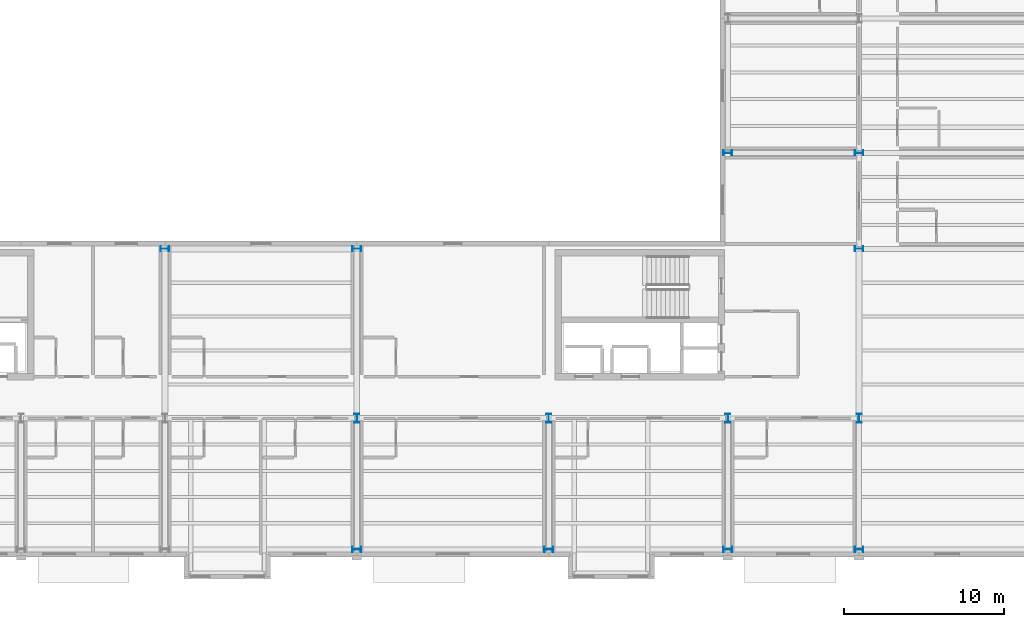
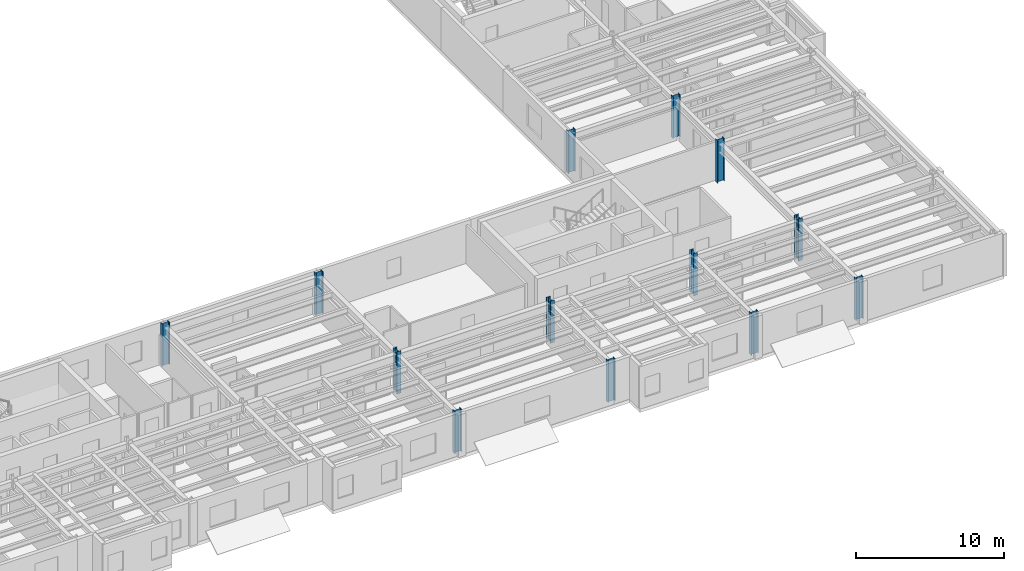
# One storey, part 2 of 19: 13 columns.
"""IFC4 building model written with IfcOpenShell, lengths in metres."""

from ifc_helpers import new_model, si_unit, direction, frame, origin, origin_2d, place, context, subcontext, project, spatial, i_section, extrude, material, material_profile, profile_set, type_object, element, save


model = new_model("IFC4")

# Units and contexts
model_context = context("Model", 3, precision=1e-05, world=origin(), true_north=direction((0.0, 1.0)))
body_context = subcontext(model_context, "Body", "Model", "MODEL_VIEW")
ifc_project = project(units=[si_unit("LENGTHUNIT", "METRE"), si_unit("AREAUNIT", "SQUARE_METRE"), si_unit("VOLUMEUNIT", "CUBIC_METRE"), si_unit("PLANEANGLEUNIT", "RADIAN"), si_unit("MASSUNIT", "GRAM", prefix="KILO")], contexts=[model_context])

# Site, building, storey
site_placement = place(None, origin())
site = spatial("IfcSite", under=ifc_project, at=site_placement, CompositionType="ELEMENT")
building_placement = place(site_placement, origin())
building = spatial("IfcBuilding", under=site, at=building_placement, Name="Sollismere Congress Hotel", CompositionType="ELEMENT")
storey_placement = place(building_placement, frame((0.0, 0.0, 34.10009765625)))
storey = spatial("IfcBuildingStorey", under=building, at=storey_placement, Name="L08", CompositionType="ELEMENT", Elevation=34.10009765625)

# Columns
ifc_material = material(Name="Steel ASTM A992 Grade 50", Category="steel")
ifc_material_profile = material_profile(ifc_material, i_section(OverallWidth=0.31494140625, OverallDepth=0.551025390625, WebThickness=0.01513671875, FlangeThickness=0.0244140625, at=origin_2d()), Name="W21X122")
ifc_profile_set = profile_set([ifc_material_profile], Name="Steel ASTM A992 Grade 50")
column_type = type_object("IfcColumnType", Name="COL-W21", PredefinedType="COLUMN", material=ifc_profile_set)
for number, where, z_axis, x_axis, name in (
    (1, (112.0, 18.800048828125, 0.0), (0.0, 0.0, 1.0), (0.0, 1.0, 0.0), "Column CL-L08-603"),
    (2, (124.0, 0.0, 0.0), (0.0, 0.0, 1.0), (0.0, 1.0, 0.0), "Column CL-L08-655"),
    (3, (124.0, 8.199951171875, 0.0), (0.0, 0.0, 1.0), (1.0, 0.0, 0.0), "Column CL-L08-668"),
    (4, (124.0, 18.800048828125, 0.0), (0.0, 0.0, 1.0), (0.0, 1.0, 0.0), "Column CL-L08-681"),
    (5, (136.0, 0.0, 0.0), (0.0, 0.0, 1.0), (0.0, 1.0, 0.0), "Column CL-L08-736"),
    (6, (136.0, 8.199951171875, 0.0), (0.0, 0.0, 1.0), (1.0, 0.0, 0.0), "Column CL-L08-749"),
    (7, (147.199951171875, 0.0, 0.0), (0.0, 0.0, 1.0), (0.0, 1.0, 0.0), "Column CL-L08-789"),
    (8, (147.199951171875, 8.199951171875, 0.0), (0.0, 0.0, 1.0), (1.0, 0.0, 0.0), "Column CL-L08-802"),
    (9, (147.199951171875, 24.800048828125, 0.0), (0.0, 0.0, 1.0), (0.0, 1.0, 0.0), "Column CL-L08-815"),
    (10, (155.39990234375, 0.0, 0.0), (0.0, 0.0, 1.0), (0.0, 1.0, 0.0), "Column CL-L08-864"),
    (11, (155.39990234375, 8.199951171875, 0.0), (0.0, 0.0, 1.0), (1.0, 0.0, 0.0), "Column CL-L08-877"),
    (12, (155.39990234375, 18.800048828125, 0.0), (0.0, 0.0, 1.0), (0.0, 1.0, 0.0), "Column CL-L08-890"),
    (13, (155.39990234375, 24.800048828125, 0.0), (0.0, 0.0, 1.0), (0.0, 1.0, 0.0), "Column CL-L08-903"),
):
    element("IfcColumn", number, at=place(storey_placement, frame(where, z_axis=z_axis, x_axis=x_axis)), inside=storey, type_object=column_type, Name=name, PredefinedType="COLUMN", context=body_context, shape_type="SweptSolid", body=[
        extrude(i_section(OverallWidth=0.31494140625, OverallDepth=0.551025390625, WebThickness=0.01513671875, FlangeThickness=0.0244140625, at=origin_2d()), origin(), (0.0, 0.0, 1.0), 3.5),
    ])

save(model, "model.ifc")
